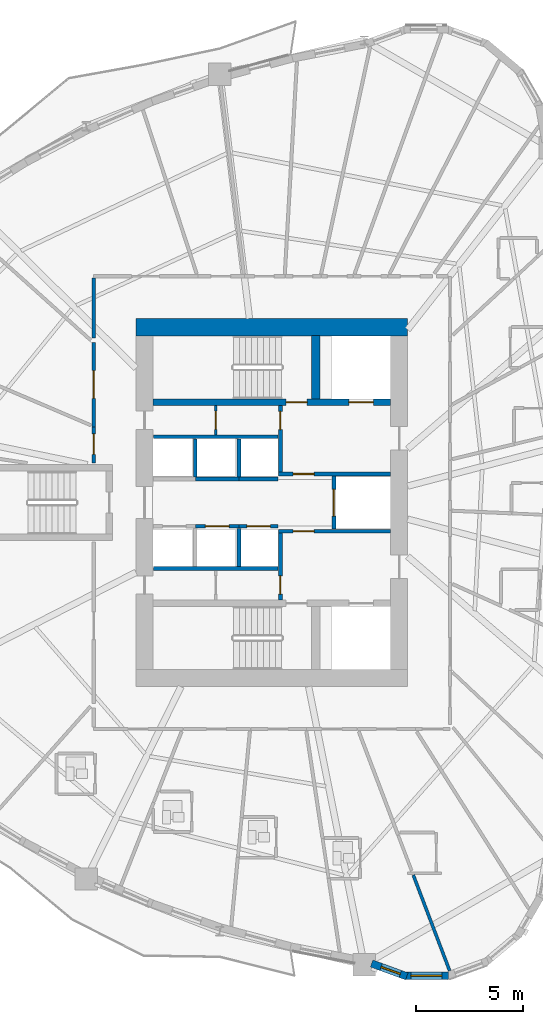
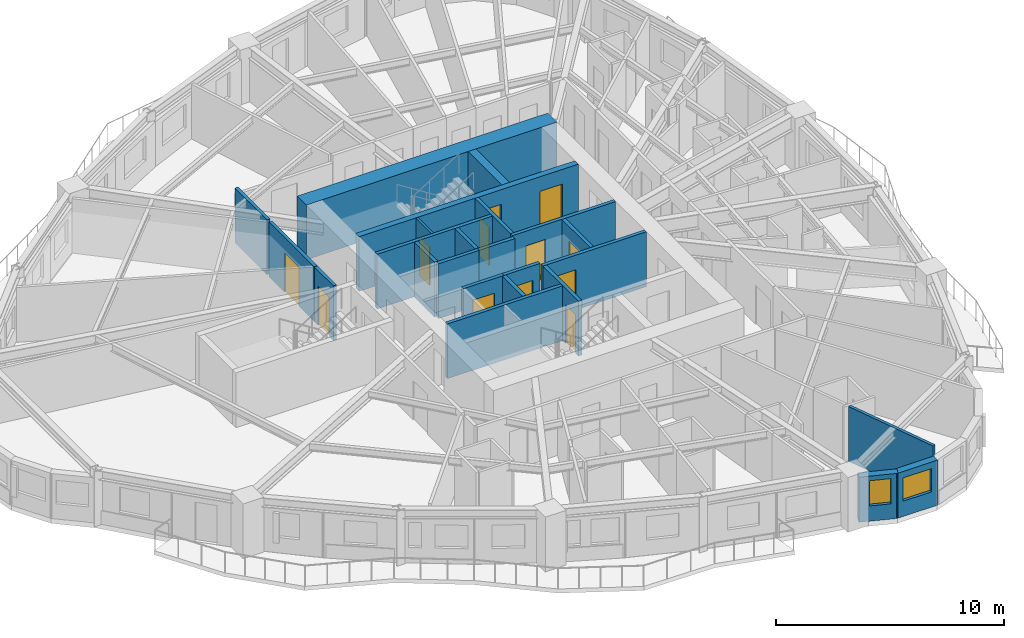
# One storey, part 5 of 14: 24 walls, 12 doors, 2 windows, 14 openings.
"""IFC4 building model written with IfcOpenShell, lengths in metres."""

from ifc_helpers import new_model, si_unit, direction, frame, frame_2d, origin, place, context, subcontext, project, spatial, rectangle, extrude, source, transform, mapped, material, layer, layer_set, type_object, element, fill, save


model = new_model("IFC4")

# Units and contexts
model_context = context("Model", 3, precision=1e-05, world=origin(), true_north=direction((0.0, 1.0)))
body_context = subcontext(model_context, "Body", "Model", "MODEL_VIEW")
ifc_project = project(units=[si_unit("LENGTHUNIT", "METRE"), si_unit("AREAUNIT", "SQUARE_METRE"), si_unit("VOLUMEUNIT", "CUBIC_METRE"), si_unit("PLANEANGLEUNIT", "RADIAN"), si_unit("MASSUNIT", "GRAM", prefix="KILO")], contexts=[model_context])

# Site, building, storey
site_placement = place(None, origin())
site = spatial("IfcSite", under=ifc_project, at=site_placement, CompositionType="ELEMENT")
building_placement = place(site_placement, origin())
building = spatial("IfcBuilding", under=site, at=building_placement, Name="Qafzar Sky-Pleat Residences", CompositionType="ELEMENT")
storey_placement = place(building_placement, frame((0.0, 0.0, 23.800048828125)))
storey = spatial("IfcBuildingStorey", under=building, at=storey_placement, Name="L06", CompositionType="ELEMENT", Elevation=23.800048828125)

# Wall, opening, door
ifc_material_1 = material(Name="Acoustic gypsum plasterboard partition", Category="gypsum")
ifc_layer_1 = layer(ifc_material_1, 0.159912109375)
ifc_layer_set_1 = layer_set([ifc_layer_1], Name="Acoustic gypsum plasterboard partition")
wall_type_1 = type_object("IfcWallType", Name="PART-COR-160", PredefinedType="PARTITIONING", material=ifc_layer_set_1)
wall_1_placement = place(storey_placement, frame((22.02001953125, 29.544921875, 0.0), z_axis=(0.0, 0.0, 1.0), x_axis=(0.0, 1.0, 0.0)))
wall_1 = element("IfcWall", 1, at=wall_1_placement, inside=storey, type_object=wall_type_1, Name="L06 Partition Wall PART-L06-PW-005", PredefinedType="PARTITIONING", context=body_context, shape_type="SweptSolid", body=[
    extrude(rectangle(XDim=3.948974609375, YDim=0.159912109375, at=frame_2d((1.974609375, 0.0))), origin(), (0.0, 0.0, 1.0), 2.93505859375),
])
opening_1_placement = place(wall_1_placement, frame((1.322998046875, 0.0, 0.0)))
opening_1 = element("IfcOpeningElement", 2, at=opening_1_placement, cuts=wall_1, Name="Opening ID-05", PredefinedType="OPENING", context=body_context, shape_type="SweptSolid", body=[
    extrude(rectangle(XDim=1.300048828125, YDim=2.10009765625, at=frame_2d((0.64990234375, 1.050048828125))), frame((0.0, 0.08984375, 0.0), z_axis=(0.0, -1.0, 0.0), x_axis=(1.0, 0.0, 0.0)), (0.0, 0.0, 1.0), 0.179931640625),
])
ifc_material_2 = material(Name="Timber-faced fire door", Category="wood")
door_type_1 = type_object("IfcDoorType", Name="DR-LNG-1300", OperationType="DOUBLE_DOOR_SINGLE_SWING", PredefinedType="DOOR", material=ifc_material_2)
shared_shape_1 = source(origin(), body_context, "Body", "SweptSolid", [
    extrude(rectangle(XDim=1.300048828125, YDim=2.10009765625, at=frame_2d((0.64990234375, 1.050048828125))), frame((0.0, 0.02490234375, 0.0), z_axis=(0.0, -1.0, 0.0), x_axis=(1.0, 0.0, 0.0)), (0.0, 0.0, 1.0), 0.050048828125),
])
door_1_placement = place(opening_1_placement, origin())
door_1 = element("IfcDoor", 3, at=door_1_placement, inside=storey, type_object=door_type_1, Name="L06 Co-Living Lounge Door", OperationType="DOUBLE_DOOR_SINGLE_SWING", OverallHeight=2.10009765625, OverallWidth=1.300048828125, PredefinedType="DOOR", context=body_context, shape_type="MappedRepresentation", body=[
    mapped(shared_shape_1, transform((0.0, 0.0, 0.0), x_axis=(1.0, 0.0, 0.0), y_axis=(0.0, 1.0, 0.0), z_axis=(0.0, 0.0, 1.0), scale=1.0)),
])
fill(opening_1, door_1)

wall_2_placement = place(storey_placement, frame((22.02001953125, 27.85009765625, 0.0), z_axis=(0.0, 0.0, 1.0), x_axis=(0.0, 1.0, 0.0)))
wall_2 = element("IfcWall", 4, at=wall_2_placement, inside=storey, type_object=wall_type_1, Name="L06 Partition Wall PART-L06-PW-029", PredefinedType="PARTITIONING", context=body_context, shape_type="SweptSolid", body=[
    extrude(rectangle(XDim=1.679931640625, YDim=0.159912109375, at=frame_2d((0.83984375, 0.0))), origin(), (0.0, 0.0, 1.0), 2.93505859375),
])
opening_2_placement = place(wall_2_placement, frame((0.405517578125, 0.0, 0.0)))
opening_2 = element("IfcOpeningElement", 5, at=opening_2_placement, cuts=wall_2, Name="Opening ID-06", PredefinedType="OPENING", context=body_context, shape_type="SweptSolid", body=[
    extrude(rectangle(XDim=0.9599609375, YDim=2.10009765625, at=frame_2d((0.47998046875, 1.050048828125))), frame((0.0, 0.08984375, 0.0), z_axis=(0.0, -1.0, 0.0), x_axis=(1.0, 0.0, 0.0)), (0.0, 0.0, 1.0), 0.179931640625),
])
door_type_2 = type_object("IfcDoorType", Name="DR-STD-960", OperationType="NOTDEFINED", PredefinedType="DOOR", material=ifc_material_2)
shared_shape_2 = source(origin(), body_context, "Body", "SweptSolid", [
    extrude(rectangle(XDim=0.9599609375, YDim=2.10009765625, at=frame_2d((0.47998046875, 1.050048828125))), frame((0.0, 0.02490234375, 0.0), z_axis=(0.0, -1.0, 0.0), x_axis=(1.0, 0.0, 0.0)), (0.0, 0.0, 1.0), 0.050048828125),
])
door_2_placement = place(opening_2_placement, origin())
door_2 = element("IfcDoor", 6, at=door_2_placement, inside=storey, type_object=door_type_2, Name="L06 Reading Library Door", OperationType="SINGLE_SWING_RIGHT", OverallHeight=2.10009765625, OverallWidth=0.9599609375, PredefinedType="DOOR", context=body_context, shape_type="MappedRepresentation", body=[
    mapped(shared_shape_2, transform((0.0, 0.0, 0.0), x_axis=(1.0, 0.0, 0.0), y_axis=(0.0, 1.0, 0.0), z_axis=(0.0, 0.0, 1.0), scale=1.0)),
])
fill(opening_2, door_2)

# Wall
wall_3_placement = place(storey_placement, frame((22.02001953125, 33.686279296875, 0.0), z_axis=(0.0, 0.0, 1.0), x_axis=(0.0, 1.0, 0.0)))
element("IfcWall", 7, at=wall_3_placement, inside=storey, type_object=wall_type_1, Name="L06 Partition Wall PART-L06-PW-060", PredefinedType="PARTITIONING", context=body_context, shape_type="SweptSolid", body=[
    extrude(rectangle(XDim=2.8056640625, YDim=0.159912109375, at=frame_2d((1.40283203125, 0.0))), origin(), (0.0, 0.0, 1.0), 2.93505859375),
])

# Wall, opening, door
ifc_material_3 = material(Name="Concrete blockwork partition", Category="masonry")
ifc_layer_2 = layer(ifc_material_3, 0.179931640625)
ifc_layer_set_2 = layer_set([ifc_layer_2], Name="Concrete blockwork partition")
wall_type_2 = type_object("IfcWallType", Name="PART-SHAFT-180", PredefinedType="PARTITIONING", material=ifc_layer_set_2)
wall_4_placement = place(storey_placement, frame((30.75, 21.4599609375, 0.0), z_axis=(0.0, 0.0, 1.0), x_axis=(0.0, 1.0, 0.0)))
wall_4 = element("IfcWall", 8, at=wall_4_placement, inside=storey, type_object=wall_type_2, Name="L06 Partition Wall PART-L06-FFL1-W", PredefinedType="PARTITIONING", context=body_context, shape_type="SweptSolid", body=[
    extrude(rectangle(XDim=3.110107421875, YDim=0.179931640625, at=frame_2d((1.55517578125, 0.0))), origin(), (0.0, 0.0, 1.0), 2.93505859375),
])
opening_3_placement = place(wall_4_placement, frame((0.260009765625, 0.0, 0.0)))
opening_3 = element("IfcOpeningElement", 9, at=opening_3_placement, cuts=wall_4, Name="Opening ID-09", PredefinedType="OPENING", context=body_context, shape_type="SweptSolid", body=[
    extrude(rectangle(XDim=0.860107421875, YDim=2.050048828125, at=frame_2d((0.43017578125, 1.02490234375))), frame((0.0, 0.10009765625, 0.0), z_axis=(0.0, -1.0, 0.0), x_axis=(1.0, 0.0, 0.0)), (0.0, 0.0, 1.0), 0.199951171875),
])
door_type_3 = type_object("IfcDoorType", Name="DR-SVC-860", OperationType="NOTDEFINED", PredefinedType="DOOR", material=ifc_material_2)
shared_shape_3 = source(origin(), body_context, "Body", "SweptSolid", [
    extrude(rectangle(XDim=0.860107421875, YDim=2.050048828125, at=frame_2d((0.43017578125, 1.02490234375))), frame((0.0, 0.02490234375, 0.0), z_axis=(0.0, -1.0, 0.0), x_axis=(1.0, 0.0, 0.0)), (0.0, 0.0, 1.0), 0.050048828125),
])
door_3_placement = place(opening_3_placement, origin())
door_3 = element("IfcDoor", 10, at=door_3_placement, inside=storey, type_object=door_type_3, Name="L06 South Core Cupboard Door", OperationType="SINGLE_SWING_RIGHT", OverallHeight=2.050048828125, OverallWidth=0.860107421875, PredefinedType="DOOR", context=body_context, shape_type="MappedRepresentation", body=[
    mapped(shared_shape_3, transform((0.0, 0.0, 0.0), x_axis=(1.0, 0.0, 0.0), y_axis=(0.0, 1.0, 0.0), z_axis=(0.0, 0.0, 1.0), scale=1.0)),
])
fill(opening_3, door_3)

wall_5_placement = place(storey_placement, frame((30.669921875, 24.659912109375, 0.0), z_axis=(0.0, 0.0, 1.0), x_axis=(1.0, 0.0, 0.0)))
wall_5 = element("IfcWall", 11, at=wall_5_placement, inside=storey, type_object=wall_type_2, Name="L06 Partition Wall PART-L06-FFL1-N", PredefinedType="PARTITIONING", context=body_context, shape_type="SweptSolid", body=[
    extrude(rectangle(XDim=5.219970703125, YDim=0.179931640625, at=frame_2d((2.60986328125, 0.0))), origin(), (0.0, 0.0, 1.0), 2.93505859375),
])
opening_4_placement = place(wall_5_placement, frame((0.679931640625, 0.0, 0.0)))
opening_4 = element("IfcOpeningElement", 12, at=opening_4_placement, cuts=wall_5, Name="Opening ID-01", PredefinedType="OPENING", context=body_context, shape_type="SweptSolid", body=[
    extrude(rectangle(XDim=0.97998046875, YDim=2.14990234375, at=frame_2d((0.489990234375, 1.074951171875))), frame((0.0, 0.10009765625, 0.0), z_axis=(0.0, -1.0, 0.0), x_axis=(1.0, 0.0, 0.0)), (0.0, 0.0, 1.0), 0.199951171875),
])
door_type_4 = type_object("IfcDoorType", Name="DR-STAIR-980", OperationType="NOTDEFINED", PredefinedType="DOOR", material=ifc_material_2)
shared_shape_4 = source(origin(), body_context, "Body", "SweptSolid", [
    extrude(rectangle(XDim=0.97998046875, YDim=2.14990234375, at=frame_2d((0.489990234375, 1.074951171875))), frame((0.0, 0.02490234375, 0.0), z_axis=(0.0, -1.0, 0.0), x_axis=(1.0, 0.0, 0.0)), (0.0, 0.0, 1.0), 0.050048828125),
])
door_4_placement = place(opening_4_placement, origin())
door_4 = element("IfcDoor", 13, at=door_4_placement, inside=storey, type_object=door_type_4, Name="L06 Lift Lobby to South Firefighting Lobby Door", OperationType="SINGLE_SWING_LEFT", OverallHeight=2.14990234375, OverallWidth=0.97998046875, PredefinedType="DOOR", context=body_context, shape_type="MappedRepresentation", body=[
    mapped(shared_shape_4, transform((0.0, 0.0, 0.0), x_axis=(1.0, 0.0, 0.0), y_axis=(0.0, 1.0, 0.0), z_axis=(0.0, 0.0, 1.0), scale=1.0)),
])
fill(opening_4, door_4)

wall_6_placement = place(storey_placement, frame((30.75, 27.429931640625, 0.0), z_axis=(0.0, 0.0, 1.0), x_axis=(0.0, 1.0, 0.0)))
wall_6 = element("IfcWall", 14, at=wall_6_placement, inside=storey, type_object=wall_type_2, Name="L06 Partition Wall PART-L06-FFL2-W", PredefinedType="PARTITIONING", context=body_context, shape_type="SweptSolid", body=[
    extrude(rectangle(XDim=3.110107421875, YDim=0.179931640625, at=frame_2d((1.55517578125, 0.0))), origin(), (0.0, 0.0, 1.0), 2.93505859375),
])
opening_5_placement = place(wall_6_placement, frame((1.97998046875, 0.0, 0.0)))
opening_5 = element("IfcOpeningElement", 15, at=opening_5_placement, cuts=wall_6, Name="Opening ID-09", PredefinedType="OPENING", context=body_context, shape_type="SweptSolid", body=[
    extrude(rectangle(XDim=0.860107421875, YDim=2.050048828125, at=frame_2d((0.43017578125, 1.02490234375))), frame((0.0, 0.10009765625, 0.0), z_axis=(0.0, -1.0, 0.0), x_axis=(1.0, 0.0, 0.0)), (0.0, 0.0, 1.0), 0.199951171875),
])
door_5_placement = place(opening_5_placement, origin())
door_5 = element("IfcDoor", 16, at=door_5_placement, inside=storey, type_object=door_type_3, Name="L06 North Core Cupboard Door", OperationType="SINGLE_SWING_RIGHT", OverallHeight=2.050048828125, OverallWidth=0.860107421875, PredefinedType="DOOR", context=body_context, shape_type="MappedRepresentation", body=[
    mapped(shared_shape_3, transform((0.0, 0.0, 0.0), x_axis=(1.0, 0.0, 0.0), y_axis=(0.0, 1.0, 0.0), z_axis=(0.0, 0.0, 1.0), scale=1.0)),
])
fill(opening_5, door_5)

wall_7_placement = place(storey_placement, frame((30.669921875, 27.340087890625, 0.0), z_axis=(0.0, 0.0, 1.0), x_axis=(1.0, 0.0, 0.0)))
wall_7 = element("IfcWall", 17, at=wall_7_placement, inside=storey, type_object=wall_type_2, Name="L06 Partition Wall PART-L06-FFL2-S", PredefinedType="PARTITIONING", context=body_context, shape_type="SweptSolid", body=[
    extrude(rectangle(XDim=5.219970703125, YDim=0.179931640625, at=frame_2d((2.60986328125, 0.0))), origin(), (0.0, 0.0, 1.0), 2.93505859375),
])
opening_6_placement = place(wall_7_placement, frame((0.679931640625, 0.0, 0.0)))
opening_6 = element("IfcOpeningElement", 18, at=opening_6_placement, cuts=wall_7, Name="Opening ID-01", PredefinedType="OPENING", context=body_context, shape_type="SweptSolid", body=[
    extrude(rectangle(XDim=0.97998046875, YDim=2.14990234375, at=frame_2d((0.489990234375, 1.074951171875))), frame((0.0, 0.10009765625, 0.0), z_axis=(0.0, -1.0, 0.0), x_axis=(1.0, 0.0, 0.0)), (0.0, 0.0, 1.0), 0.199951171875),
])
door_6_placement = place(opening_6_placement, origin())
door_6 = element("IfcDoor", 19, at=door_6_placement, inside=storey, type_object=door_type_4, Name="L06 Lift Lobby to North Firefighting Lobby Door", OperationType="SINGLE_SWING_LEFT", OverallHeight=2.14990234375, OverallWidth=0.97998046875, PredefinedType="DOOR", context=body_context, shape_type="MappedRepresentation", body=[
    mapped(shared_shape_4, transform((0.0, 0.0, 0.0), x_axis=(1.0, 0.0, 0.0), y_axis=(0.0, 1.0, 0.0), z_axis=(0.0, 0.0, 1.0), scale=1.0)),
])
fill(opening_6, door_6)

wall_8_placement = place(storey_placement, frame((33.25, 24.760009765625, 0.0), z_axis=(0.0, 0.0, 1.0), x_axis=(0.0, 1.0, 0.0)))
wall_8 = element("IfcWall", 20, at=wall_8_placement, inside=storey, type_object=wall_type_2, Name="L06 Partition Wall PART-L06-SV1-W", PredefinedType="PARTITIONING", context=body_context, shape_type="SweptSolid", body=[
    extrude(rectangle(XDim=2.47998046875, YDim=0.179931640625, at=frame_2d((1.239990234375, 0.0))), origin(), (0.0, 0.0, 1.0), 2.93505859375),
])
opening_7_placement = place(wall_8_placement, frame((0.614990234375, 0.0, 0.0)))
opening_7 = element("IfcOpeningElement", 21, at=opening_7_placement, cuts=wall_8, Name="Opening LD-03", PredefinedType="OPENING", context=body_context, shape_type="SweptSolid", body=[
    extrude(rectangle(XDim=1.25, YDim=2.14990234375, at=frame_2d((0.625, 1.074951171875))), frame((0.0, 0.10009765625, 0.0), z_axis=(0.0, -1.0, 0.0), x_axis=(1.0, 0.0, 0.0)), (0.0, 0.0, 1.0), 0.199951171875),
])
ifc_material_4 = material(Name="Stainless steel sliding landing door", Category="steel")
door_type_5 = type_object("IfcDoorType", Name="DR-LIFT-SV", OperationType="DOUBLE_DOOR_SLIDING", PredefinedType="DOOR", material=ifc_material_4)
shared_shape_5 = source(origin(), body_context, "Body", "SweptSolid", [
    extrude(rectangle(XDim=1.25, YDim=2.14990234375, at=frame_2d((0.625, 1.074951171875))), frame((0.0, 0.02490234375, 0.0), z_axis=(0.0, -1.0, 0.0), x_axis=(1.0, 0.0, 0.0)), (0.0, 0.0, 1.0), 0.050048828125),
])
door_7_placement = place(opening_7_placement, origin())
door_7 = element("IfcDoor", 22, at=door_7_placement, inside=storey, type_object=door_type_5, Name="L06 Service Lift SV1 Landing Door", OperationType="DOUBLE_DOOR_SLIDING", OverallHeight=2.14990234375, OverallWidth=1.25, PredefinedType="DOOR", context=body_context, shape_type="MappedRepresentation", body=[
    mapped(shared_shape_5, transform((0.0, 0.0, 0.0), x_axis=(1.0, 0.0, 0.0), y_axis=(0.0, 1.0, 0.0), z_axis=(0.0, 0.0, 1.0), scale=1.0)),
])
fill(opening_7, door_7)

# Wall
wall_9_placement = place(storey_placement, frame((24.81005859375, 22.919921875, 0.0), z_axis=(0.0, 0.0, 1.0), x_axis=(1.0, 0.0, 0.0)))
element("IfcWall", 23, at=wall_9_placement, inside=storey, type_object=wall_type_2, Name="L06 Partition Wall PART-L06-P13-S", PredefinedType="PARTITIONING", context=body_context, shape_type="SweptSolid", body=[
    extrude(rectangle(XDim=5.83984375, YDim=0.179931640625, at=frame_2d((2.919921875, 0.0))), origin(), (0.0, 0.0, 1.0), 2.93505859375),
])

# Wall, opening, door
wall_10_placement = place(storey_placement, frame((26.77490234375, 24.89990234375, 0.0), z_axis=(0.0, 0.0, 1.0), x_axis=(1.0, 0.0, 0.0)))
wall_10 = element("IfcWall", 24, at=wall_10_placement, inside=storey, type_object=wall_type_2, Name="L06 Partition Wall PART-L06-P2-N", PredefinedType="PARTITIONING", context=body_context, shape_type="SweptSolid", body=[
    extrude(rectangle(XDim=2.050048828125, YDim=0.179931640625, at=frame_2d((1.02490234375, 0.0))), origin(), (0.0, 0.0, 1.0), 2.93505859375),
])
opening_8_placement = place(wall_10_placement, frame((0.47509765625, 0.0, 0.0)))
opening_8 = element("IfcOpeningElement", 25, at=opening_8_placement, cuts=wall_10, Name="Opening LD-01", PredefinedType="OPENING", context=body_context, shape_type="SweptSolid", body=[
    extrude(rectangle(XDim=1.10009765625, YDim=2.14990234375, at=frame_2d((0.550048828125, 1.074951171875))), frame((0.0, 0.10009765625, 0.0), z_axis=(0.0, -1.0, 0.0), x_axis=(1.0, 0.0, 0.0)), (0.0, 0.0, 1.0), 0.199951171875),
])
door_type_6 = type_object("IfcDoorType", Name="DR-LIFT-P", OperationType="DOUBLE_DOOR_SLIDING", PredefinedType="DOOR", material=ifc_material_4)
shared_shape_6 = source(origin(), body_context, "Body", "SweptSolid", [
    extrude(rectangle(XDim=1.10009765625, YDim=2.14990234375, at=frame_2d((0.550048828125, 1.074951171875))), frame((0.0, 0.02490234375, 0.0), z_axis=(0.0, -1.0, 0.0), x_axis=(1.0, 0.0, 0.0)), (0.0, 0.0, 1.0), 0.050048828125),
])
door_8_placement = place(opening_8_placement, origin())
door_8 = element("IfcDoor", 26, at=door_8_placement, inside=storey, type_object=door_type_6, Name="L06 Passenger Lift P2 Landing Door", OperationType="DOUBLE_DOOR_SLIDING", OverallHeight=2.14990234375, OverallWidth=1.10009765625, PredefinedType="DOOR", context=body_context, shape_type="MappedRepresentation", body=[
    mapped(shared_shape_6, transform((0.0, 0.0, 0.0), x_axis=(1.0, 0.0, 0.0), y_axis=(0.0, 1.0, 0.0), z_axis=(0.0, 0.0, 1.0), scale=1.0)),
])
fill(opening_8, door_8)

wall_11_placement = place(storey_placement, frame((28.824951171875, 24.89990234375, 0.0), z_axis=(0.0, 0.0, 1.0), x_axis=(1.0, 0.0, 0.0)))
wall_11 = element("IfcWall", 27, at=wall_11_placement, inside=storey, type_object=wall_type_2, Name="L06 Partition Wall PART-L06-P3-N", PredefinedType="PARTITIONING", context=body_context, shape_type="SweptSolid", body=[
    extrude(rectangle(XDim=1.824951171875, YDim=0.179931640625, at=frame_2d((0.91259765625, 0.0))), origin(), (0.0, 0.0, 1.0), 2.93505859375),
])
opening_9_placement = place(wall_11_placement, frame((0.362548828125, 0.0, 0.0)))
opening_9 = element("IfcOpeningElement", 28, at=opening_9_placement, cuts=wall_11, Name="Opening LD-01", PredefinedType="OPENING", context=body_context, shape_type="SweptSolid", body=[
    extrude(rectangle(XDim=1.10009765625, YDim=2.14990234375, at=frame_2d((0.550048828125, 1.074951171875))), frame((0.0, 0.10009765625, 0.0), z_axis=(0.0, -1.0, 0.0), x_axis=(1.0, 0.0, 0.0)), (0.0, 0.0, 1.0), 0.199951171875),
])
door_9_placement = place(opening_9_placement, origin())
door_9 = element("IfcDoor", 29, at=door_9_placement, inside=storey, type_object=door_type_6, Name="L06 Passenger Lift P3 Landing Door", OperationType="DOUBLE_DOOR_SLIDING", OverallHeight=2.14990234375, OverallWidth=1.10009765625, PredefinedType="DOOR", context=body_context, shape_type="MappedRepresentation", body=[
    mapped(shared_shape_6, transform((0.0, 0.0, 0.0), x_axis=(1.0, 0.0, 0.0), y_axis=(0.0, 1.0, 0.0), z_axis=(0.0, 0.0, 1.0), scale=1.0)),
])
fill(opening_9, door_9)

# Walls
wall_12_placement = place(storey_placement, frame((28.824951171875, 23.02001953125, 0.0), z_axis=(0.0, 0.0, 1.0), x_axis=(0.0, 1.0, 0.0)))
element("IfcWall", 30, at=wall_12_placement, inside=storey, type_object=wall_type_2, Name="L06 Partition Wall PART-L06-P13-DIV-2", PredefinedType="PARTITIONING", context=body_context, shape_type="SweptSolid", body=[
    extrude(rectangle(XDim=1.780029296875, YDim=0.179931640625, at=frame_2d((0.89013671875, 0.0))), origin(), (0.0, 0.0, 1.0), 2.93505859375),
])
wall_13_placement = place(storey_placement, frame((24.81005859375, 29.080078125, 0.0), z_axis=(0.0, 0.0, 1.0), x_axis=(1.0, 0.0, 0.0)))
element("IfcWall", 31, at=wall_13_placement, inside=storey, type_object=wall_type_2, Name="L06 Partition Wall PART-L06-P46-N", PredefinedType="PARTITIONING", context=body_context, shape_type="SweptSolid", body=[
    extrude(rectangle(XDim=5.83984375, YDim=0.179931640625, at=frame_2d((2.919921875, 0.0))), origin(), (0.0, 0.0, 1.0), 2.93505859375),
])
wall_14_placement = place(storey_placement, frame((26.77490234375, 27.10009765625, 0.0), z_axis=(0.0, 0.0, 1.0), x_axis=(1.0, 0.0, 0.0)))
element("IfcWall", 32, at=wall_14_placement, inside=storey, type_object=wall_type_2, Name="L06 Partition Wall PART-L06-P5-S", PredefinedType="PARTITIONING", context=body_context, shape_type="SweptSolid", body=[
    extrude(rectangle(XDim=2.050048828125, YDim=0.179931640625, at=frame_2d((1.02490234375, 0.0))), origin(), (0.0, 0.0, 1.0), 2.93505859375),
])
wall_15_placement = place(storey_placement, frame((26.77490234375, 27.199951171875, 0.0), z_axis=(0.0, 0.0, 1.0), x_axis=(0.0, 1.0, 0.0)))
element("IfcWall", 33, at=wall_15_placement, inside=storey, type_object=wall_type_2, Name="L06 Partition Wall PART-L06-P46-DIV-1", PredefinedType="PARTITIONING", context=body_context, shape_type="SweptSolid", body=[
    extrude(rectangle(XDim=1.780029296875, YDim=0.179931640625, at=frame_2d((0.89013671875, 0.0))), origin(), (0.0, 0.0, 1.0), 2.93505859375),
])
wall_16_placement = place(storey_placement, frame((28.824951171875, 27.10009765625, 0.0), z_axis=(0.0, 0.0, 1.0), x_axis=(1.0, 0.0, 0.0)))
element("IfcWall", 34, at=wall_16_placement, inside=storey, type_object=wall_type_2, Name="L06 Partition Wall PART-L06-P6-S", PredefinedType="PARTITIONING", context=body_context, shape_type="SweptSolid", body=[
    extrude(rectangle(XDim=1.824951171875, YDim=0.179931640625, at=frame_2d((0.91259765625, 0.0))), origin(), (0.0, 0.0, 1.0), 2.93505859375),
])
wall_17_placement = place(storey_placement, frame((28.824951171875, 27.199951171875, 0.0), z_axis=(0.0, 0.0, 1.0), x_axis=(0.0, 1.0, 0.0)))
element("IfcWall", 35, at=wall_17_placement, inside=storey, type_object=wall_type_2, Name="L06 Partition Wall PART-L06-P46-DIV-2", PredefinedType="PARTITIONING", context=body_context, shape_type="SweptSolid", body=[
    extrude(rectangle(XDim=1.780029296875, YDim=0.179931640625, at=frame_2d((0.89013671875, 0.0))), origin(), (0.0, 0.0, 1.0), 2.93505859375),
])

# Wall, opening, door
ifc_material_5 = material(Name="Gypsum plasterboard partition", Category="gypsum")
ifc_layer_3 = layer(ifc_material_5, 0.114990234375)
ifc_layer_set_3 = layer_set([ifc_layer_3], Name="Gypsum plasterboard partition")
wall_type_3 = type_object("IfcWallType", Name="PART-SVC-115", PredefinedType="PARTITIONING", material=ifc_layer_set_3)
wall_18_placement = place(storey_placement, frame((27.72509765625, 29.159912109375, 0.0), z_axis=(0.0, 0.0, 1.0), x_axis=(0.0, 1.0, 0.0)))
wall_18 = element("IfcWall", 36, at=wall_18_placement, inside=storey, type_object=wall_type_3, Name="L06 Partition Wall PART-L06-KB-NW", PredefinedType="PARTITIONING", context=body_context, shape_type="SweptSolid", body=[
    extrude(rectangle(XDim=1.380126953125, YDim=0.114990234375, at=frame_2d((0.68994140625, 0.0))), origin(), (0.0, 0.0, 1.0), 2.93505859375),
])
opening_10_placement = place(wall_18_placement, frame((0.260009765625, 0.0, 0.0)))
opening_10 = element("IfcOpeningElement", 37, at=opening_10_placement, cuts=wall_18, Name="Opening ID-09", PredefinedType="OPENING", context=body_context, shape_type="SweptSolid", body=[
    extrude(rectangle(XDim=0.860107421875, YDim=2.050048828125, at=frame_2d((0.43017578125, 1.02490234375))), frame((0.0, 0.0673828125, 0.0), z_axis=(0.0, -1.0, 0.0), x_axis=(1.0, 0.0, 0.0)), (0.0, 0.0, 1.0), 0.135009765625),
])
door_10_placement = place(opening_10_placement, origin())
door_10 = element("IfcDoor", 38, at=door_10_placement, inside=storey, type_object=door_type_3, Name="L06 IT Cupboard Door", OperationType="SINGLE_SWING_LEFT", OverallHeight=2.050048828125, OverallWidth=0.860107421875, PredefinedType="DOOR", context=body_context, shape_type="MappedRepresentation", body=[
    mapped(shared_shape_3, transform((0.0, 0.0, 0.0), x_axis=(1.0, 0.0, 0.0), y_axis=(0.0, 1.0, 0.0), z_axis=(0.0, 0.0, 1.0), scale=1.0)),
])
fill(opening_10, door_10)

# Wall
ifc_layer_4 = layer(ifc_material_1, 0.14501953125)
ifc_layer_set_4 = layer_set([ifc_layer_4], Name="Acoustic gypsum plasterboard partition")
wall_type_4 = type_object("IfcWallType", Name="PART-UNIT-145", PredefinedType="PARTITIONING", material=ifc_layer_set_4)
wall_19_placement = place(storey_placement, frame((36.96337890625, 8.59375, 0.0), z_axis=(0.0, 0.0, 1.0), x_axis=(0.35524629266, -0.934772737916, 0.0)))
element("IfcWall", 39, at=wall_19_placement, inside=storey, type_object=wall_type_4, Name="L06 Partition Wall PART-L06-PW-050", PredefinedType="PARTITIONING", context=body_context, shape_type="SweptSolid", body=[
    extrude(rectangle(XDim=4.78515625, YDim=0.14501953125, at=frame_2d((2.392578125, 0.0))), origin(), (0.0, 0.0, 1.0), 2.93505859375),
])

# Wall, opening, window
ifc_material_6 = material(Name="Precast concrete C40/50 with honed Riyadh limestone", Category="concrete")
ifc_layer_5 = layer(ifc_material_6, 0.35009765625)
ifc_layer_set_5 = layer_set([ifc_layer_5], Name="Precast concrete C40/50 with honed Riyadh limestone")
wall_type_5 = type_object("IfcWallType", Name="WALL-EXT-350", PredefinedType="SOLIDWALL", material=ifc_layer_set_5)
wall_20_placement = place(storey_placement, frame((35.014404296875, 4.458740234375, 0.0), z_axis=(0.0, 0.0, 1.0), x_axis=(0.939720171257, -0.341944439541, 0.0)))
wall_20 = element("IfcWall", 40, at=wall_20_placement, inside=storey, type_object=wall_type_5, Name="L06 Limestone Facade Wall 17", PredefinedType="SOLIDWALL", context=body_context, shape_type="SweptSolid", body=[
    extrude(rectangle(XDim=1.752197265625, YDim=0.35009765625, at=frame_2d((0.8759765625, 0.0))), origin(), (0.0, 0.0, 1.0), 2.4150390625),
])
opening_11_placement = place(wall_20_placement, frame((0.47607421875, 0.0, 0.820068359375)))
opening_11 = element("IfcOpeningElement", 41, at=opening_11_placement, cuts=wall_20, Name="Opening WN-12", PredefinedType="OPENING", context=body_context, shape_type="SweptSolid", body=[
    extrude(rectangle(XDim=0.949951171875, YDim=1.35009765625, at=frame_2d((0.47509765625, 0.675048828125))), frame((0.0, 0.18505859375, 0.0), z_axis=(0.0, -1.0, 0.0), x_axis=(1.0, 0.0, 0.0)), (0.0, 0.0, 1.0), 0.3701171875),
])
ifc_material_7 = material(Name="Solar-control low-E glass in bronze aluminium frame", Category="glass")
window_type_1 = type_object("IfcWindowType", Name="WIN-12", PartitioningType="SINGLE_PANEL", PredefinedType="WINDOW", material=ifc_material_7)
shared_shape_7 = source(origin(), body_context, "Body", "SweptSolid", [
    extrude(rectangle(XDim=0.949951171875, YDim=1.35009765625, at=frame_2d((0.47509765625, 0.675048828125))), frame((0.0, 0.030029296875, 0.0), z_axis=(0.0, -1.0, 0.0), x_axis=(1.0, 0.0, 0.0)), (0.0, 0.0, 1.0), 0.06005859375),
])
window_1_placement = place(opening_11_placement, origin())
window_1 = element("IfcWindow", 42, at=window_1_placement, inside=storey, type_object=window_type_1, Name="L06 Punched Facade Window 17", OverallHeight=1.35009765625, OverallWidth=0.949951171875, PartitioningType="SINGLE_PANEL", PredefinedType="WINDOW", context=body_context, shape_type="MappedRepresentation", body=[
    mapped(shared_shape_7, transform((0.0, 0.0, 0.0), x_axis=(1.0, 0.0, 0.0), y_axis=(0.0, 1.0, 0.0), z_axis=(0.0, 0.0, 1.0), scale=1.0)),
])
fill(opening_11, window_1)

wall_21_placement = place(storey_placement, frame((36.52734375, 3.883056640625, 0.0), z_axis=(0.0, 0.0, 1.0), x_axis=(1.0, 0.0, 0.0)))
wall_21 = element("IfcWall", 43, at=wall_21_placement, inside=storey, type_object=wall_type_5, Name="L06 Limestone Facade Wall 18", PredefinedType="SOLIDWALL", context=body_context, shape_type="SweptSolid", body=[
    extrude(rectangle(XDim=2.09033203125, YDim=0.35009765625, at=frame_2d((1.045166015625, 0.0))), origin(), (0.0, 0.0, 1.0), 2.4150390625),
])
opening_12_placement = place(wall_21_placement, frame((0.3203125, 0.0, 0.820068359375)))
opening_12 = element("IfcOpeningElement", 44, at=opening_12_placement, cuts=wall_21, Name="Opening WN-15", PredefinedType="OPENING", context=body_context, shape_type="SweptSolid", body=[
    extrude(rectangle(XDim=1.449951171875, YDim=1.25, at=frame_2d((0.72509765625, 0.625))), frame((0.0, 0.18505859375, 0.0), z_axis=(0.0, -1.0, 0.0), x_axis=(1.0, 0.0, 0.0)), (0.0, 0.0, 1.0), 0.3701171875),
])
window_type_2 = type_object("IfcWindowType", Name="WIN-15", PartitioningType="SINGLE_PANEL", PredefinedType="WINDOW", material=ifc_material_7)
shared_shape_8 = source(origin(), body_context, "Body", "SweptSolid", [
    extrude(rectangle(XDim=1.449951171875, YDim=1.25, at=frame_2d((0.72509765625, 0.625))), frame((0.0, 0.030029296875, 0.0), z_axis=(0.0, -1.0, 0.0), x_axis=(1.0, 0.0, 0.0)), (0.0, 0.0, 1.0), 0.06005859375),
])
window_2_placement = place(opening_12_placement, origin())
window_2 = element("IfcWindow", 45, at=window_2_placement, inside=storey, type_object=window_type_2, Name="L06 Punched Facade Window 18", OverallHeight=1.25, OverallWidth=1.449951171875, PartitioningType="SINGLE_PANEL", PredefinedType="WINDOW", context=body_context, shape_type="MappedRepresentation", body=[
    mapped(shared_shape_8, transform((0.0, 0.0, 0.0), x_axis=(1.0, 0.0, 0.0), y_axis=(0.0, 1.0, 0.0), z_axis=(0.0, 0.0, 1.0), scale=1.0)),
])
fill(opening_12, window_2)

# Wall, openings, doors
ifc_material_8 = material(Name="Concrete C60/75", Category="concrete")
ifc_layer_6 = layer(ifc_material_8, 0.300048828125)
ifc_layer_set_6 = layer_set([ifc_layer_6], Name="Concrete C60/75")
wall_type_6 = type_object("IfcWallType", Name="WALL-SHEAR-300", PredefinedType="SHEAR", material=ifc_layer_set_6)
wall_22_placement = place(storey_placement, frame((24.800048828125, 30.699951171875, 0.0), z_axis=(0.0, 0.0, 1.0), x_axis=(1.0, 0.0, 0.0)))
wall_22 = element("IfcWall", 46, at=wall_22_placement, inside=storey, type_object=wall_type_6, Name="L06 Stair ST2 and FF2 Shaft South Wall", PredefinedType="SHEAR", context=body_context, shape_type="SweptSolid", body=[
    extrude(rectangle(XDim=11.099853515625, YDim=0.300048828125, at=frame_2d((5.5498046875, 0.0))), origin(), (0.0, 0.0, 1.0), 2.93505859375),
])
opening_13_placement = place(wall_22_placement, frame((6.219970703125, 0.0, 0.0)))
opening_13 = element("IfcOpeningElement", 47, at=opening_13_placement, cuts=wall_22, Name="Opening ID-01", PredefinedType="OPENING", context=body_context, shape_type="SweptSolid", body=[
    extrude(rectangle(XDim=0.97998046875, YDim=2.14990234375, at=frame_2d((0.489990234375, 1.074951171875))), frame((0.0, 0.16015625, 0.0), z_axis=(0.0, -1.0, 0.0), x_axis=(1.0, 0.0, 0.0)), (0.0, 0.0, 1.0), 0.320068359375),
])
opening_14_placement = place(wall_22_placement, frame((9.14990234375, 0.0, 0.0)))
opening_14 = element("IfcOpeningElement", 48, at=opening_14_placement, cuts=wall_22, Name="Opening LD-02", PredefinedType="OPENING", context=body_context, shape_type="SweptSolid", body=[
    extrude(rectangle(XDim=1.14990234375, YDim=2.14990234375, at=frame_2d((0.574951171875, 1.074951171875))), frame((0.0, 0.16015625, 0.0), z_axis=(0.0, -1.0, 0.0), x_axis=(1.0, 0.0, 0.0)), (0.0, 0.0, 1.0), 0.320068359375),
])
door_11_placement = place(opening_13_placement, origin())
door_11 = element("IfcDoor", 49, at=door_11_placement, inside=storey, type_object=door_type_4, Name="L06 Stair ST2 Fire Door", OperationType="SINGLE_SWING_RIGHT", OverallHeight=2.14990234375, OverallWidth=0.97998046875, PredefinedType="DOOR", context=body_context, shape_type="MappedRepresentation", body=[
    mapped(shared_shape_4, transform((0.0, 0.0, 0.0), x_axis=(1.0, 0.0, 0.0), y_axis=(0.0, 1.0, 0.0), z_axis=(0.0, 0.0, 1.0), scale=1.0)),
])
fill(opening_13, door_11)
door_type_7 = type_object("IfcDoorType", Name="DR-LIFT-FF", OperationType="DOUBLE_DOOR_SLIDING", PredefinedType="DOOR", material=ifc_material_4)
shared_shape_9 = source(origin(), body_context, "Body", "SweptSolid", [
    extrude(rectangle(XDim=1.14990234375, YDim=2.14990234375, at=frame_2d((0.574951171875, 1.074951171875))), frame((0.0, 0.02490234375, 0.0), z_axis=(0.0, -1.0, 0.0), x_axis=(1.0, 0.0, 0.0)), (0.0, 0.0, 1.0), 0.050048828125),
])
door_12_placement = place(opening_14_placement, origin())
door_12 = element("IfcDoor", 50, at=door_12_placement, inside=storey, type_object=door_type_7, Name="L06 Firefighting Lift FF2 Landing Door", OperationType="DOUBLE_DOOR_SLIDING", OverallHeight=2.14990234375, OverallWidth=1.14990234375, PredefinedType="DOOR", context=body_context, shape_type="MappedRepresentation", body=[
    mapped(shared_shape_9, transform((0.0, 0.0, 0.0), x_axis=(1.0, 0.0, 0.0), y_axis=(0.0, 1.0, 0.0), z_axis=(0.0, 0.0, 1.0), scale=1.0)),
])
fill(opening_14, door_12)

# Walls
ifc_layer_7 = layer(ifc_material_8, 0.39990234375)
ifc_layer_set_7 = layer_set([ifc_layer_7], Name="Concrete C60/75")
wall_type_7 = type_object("IfcWallType", Name="WALL-SHEAR-400", PredefinedType="SHEAR", material=ifc_layer_set_7)
wall_23_placement = place(storey_placement, frame((32.39990234375, 30.85009765625, 0.0), z_axis=(0.0, 0.0, 1.0), x_axis=(0.0, 1.0, 0.0)))
element("IfcWall", 51, at=wall_23_placement, inside=storey, type_object=wall_type_7, Name="L06 Stair ST2 East Dividing Wall", PredefinedType="SHEAR", context=body_context, shape_type="SweptSolid", body=[
    extrude(rectangle(XDim=2.949951171875, YDim=0.39990234375, at=frame_2d((1.47509765625, 0.0))), origin(), (0.0, 0.0, 1.0), 2.93505859375),
])
ifc_layer_8 = layer(ifc_material_8, 0.800048828125)
ifc_layer_set_8 = layer_set([ifc_layer_8], Name="Concrete C60/75")
wall_type_8 = type_object("IfcWallType", Name="WALL-SHEAR-800", PredefinedType="SHEAR", material=ifc_layer_set_8)
wall_24_placement = place(storey_placement, frame((36.699951171875, 34.199951171875, 0.0), z_axis=(0.0, 0.0, 1.0), x_axis=(-1.0, 0.0, 0.0)))
element("IfcWall", 52, at=wall_24_placement, inside=storey, type_object=wall_type_8, Name="L06 CORE wall N", PredefinedType="SHEAR", context=body_context, shape_type="SweptSolid", body=[
    extrude(rectangle(XDim=12.699951171875, YDim=0.800048828125, at=frame_2d((6.35009765625, 0.0))), origin(), (0.0, 0.0, 1.0), 2.93505859375),
])

save(model, "model.ifc")
